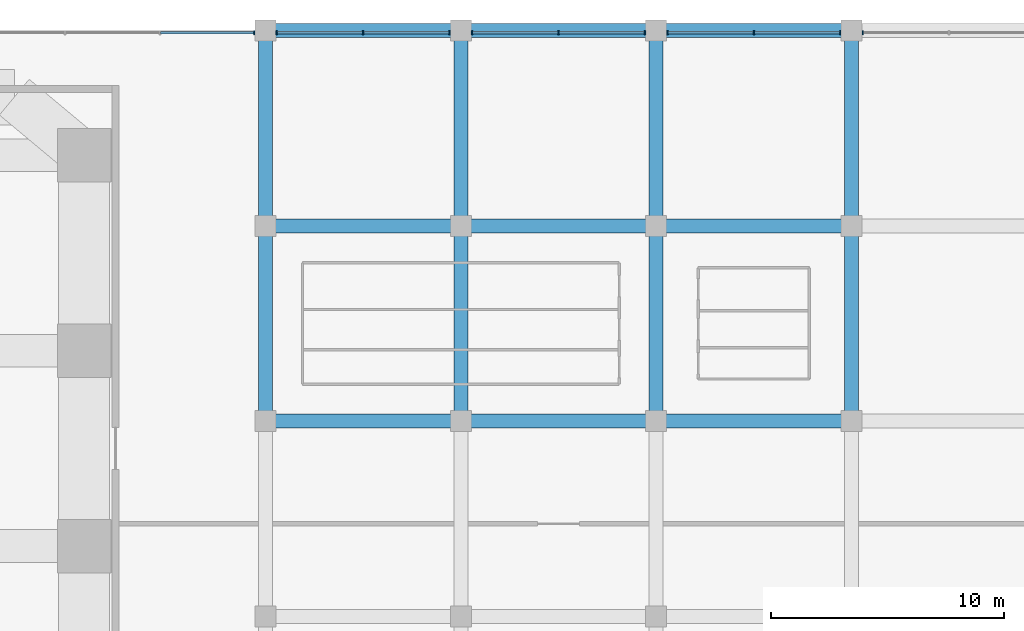
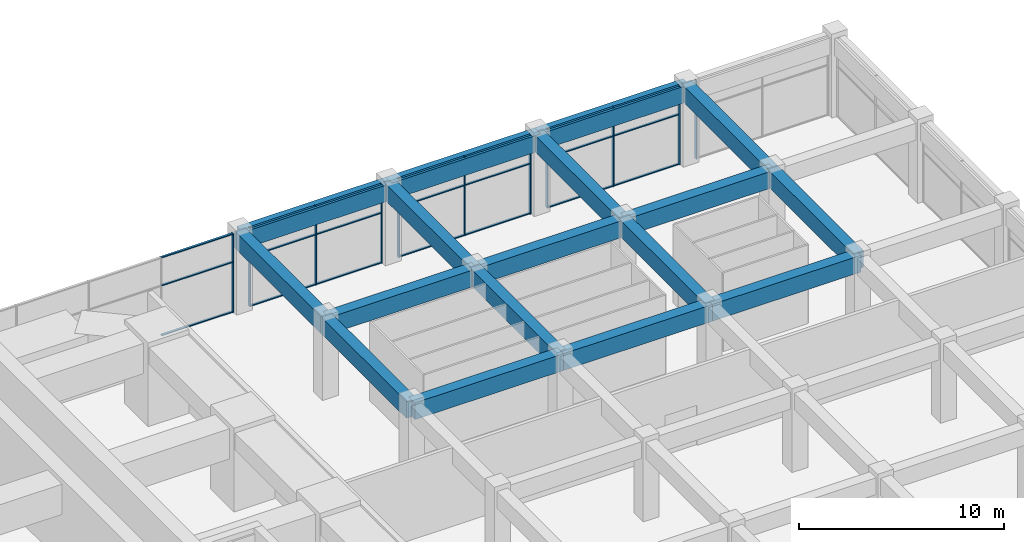
# One storey, part 20 of 34: 32 members, 17 beams, 5 elements without a shape of their own.
"""IFC4 building model written with IfcOpenShell, lengths in metres."""

from ifc_helpers import new_model, si_unit, direction, frame, origin, origin_2d, place, context, subcontext, project, spatial, rectangle, extrude, material, material_profile, profile_set, type_object, element, aggregate, save


model = new_model("IFC4")

# Units and contexts
model_context = context("Model", 3, precision=1e-05, world=origin(), true_north=direction((0.0, 1.0)))
body_context = subcontext(model_context, "Body", "Model", "MODEL_VIEW")
ifc_project = project(units=[si_unit("LENGTHUNIT", "METRE"), si_unit("AREAUNIT", "SQUARE_METRE"), si_unit("VOLUMEUNIT", "CUBIC_METRE"), si_unit("PLANEANGLEUNIT", "RADIAN"), si_unit("MASSUNIT", "GRAM", prefix="KILO")], contexts=[model_context])

# Site, building, storey
site_placement = place(None, origin())
site = spatial("IfcSite", under=ifc_project, at=site_placement, CompositionType="ELEMENT")
building_placement = place(site_placement, origin())
building = spatial("IfcBuilding", under=site, at=building_placement, Name="Impinga Residences", CompositionType="ELEMENT")
storey_placement = place(building_placement, frame((0.0, 0.0, 11.0)))
storey = spatial("IfcBuildingStorey", under=building, at=storey_placement, Name="L02", CompositionType="ELEMENT", Elevation=11.0)

# Curtain wall, member
ifc_material_1 = material(Name="Aluminium stick curtain wall", Category="aluminium")
curtain_wall_type = type_object("IfcCurtainWallType", Name="CW1 podium amenity curtain wall", PredefinedType="USERDEFINED", material=ifc_material_1)
curtain_wall_1_placement = place(storey_placement, origin())
curtain_wall_1 = element("IfcCurtainWall", 1, at=curtain_wall_1_placement, inside=storey, type_object=curtain_wall_type, Name="Curtain wall CW1 L02", ObjectType="STICK CURTAIN WALL", PredefinedType="USERDEFINED")
ifc_material_2 = material(Name="Aluminium mullion", Category="aluminium")
ifc_material_profile_1 = material_profile(ifc_material_2, rectangle(XDim=0.06005859375, YDim=0.179931640625, at=origin_2d()), Name="60x180 mullion")
ifc_profile_set_1 = profile_set([ifc_material_profile_1], Name="Aluminium mullion")
member_type_1 = type_object("IfcMemberType", Name="CW1-M mullion 60x180", PredefinedType="MULLION", material=ifc_profile_set_1)
member_1_placement = place(storey_placement, frame((16.31689453125, 50.300048828125, 0.0), z_axis=(0.0, 0.0, 1.0), x_axis=(1.0, 0.0, 0.0)))
member_1 = element("IfcMember", 2, at=member_1_placement, type_object=member_type_1, Name="CW1 mullion 9", PredefinedType="MULLION", context=body_context, shape_type="SweptSolid", body=[
    extrude(rectangle(XDim=0.06005859375, YDim=0.179931640625, at=origin_2d()), origin(), (0.0, 0.0, 1.0), 4.699951171875),
])

# Curtain wall, members
curtain_wall_2_placement = place(storey_placement, origin())
curtain_wall_2 = element("IfcCurtainWall", 3, at=curtain_wall_2_placement, inside=storey, type_object=curtain_wall_type, Name="Curtain wall CW1 L02", ObjectType="STICK CURTAIN WALL", PredefinedType="USERDEFINED")
member_2_placement = place(storey_placement, frame((17.282958984375, 50.300048828125, 0.0), z_axis=(0.0, 0.0, 1.0), x_axis=(1.0, 0.0, 0.0)))
member_2 = element("IfcMember", 4, at=member_2_placement, type_object=member_type_1, Name="CW1 mullion 1", PredefinedType="MULLION", context=body_context, shape_type="SweptSolid", body=[
    extrude(rectangle(XDim=0.06005859375, YDim=0.179931640625, at=origin_2d()), origin(), (0.0, 0.0, 1.0), 4.699951171875),
])
member_3_placement = place(storey_placement, frame((21.0, 50.300048828125, 0.0), z_axis=(0.0, 0.0, 1.0), x_axis=(1.0, 0.0, 0.0)))
member_3 = element("IfcMember", 5, at=member_3_placement, type_object=member_type_1, Name="CW1 mullion 2", PredefinedType="MULLION", context=body_context, shape_type="SweptSolid", body=[
    extrude(rectangle(XDim=0.06005859375, YDim=0.179931640625, at=origin_2d()), origin(), (0.0, 0.0, 1.0), 4.699951171875),
])
member_4_placement = place(storey_placement, frame((24.717041015625, 50.300048828125, 0.0), z_axis=(0.0, 0.0, 1.0), x_axis=(1.0, 0.0, 0.0)))
member_4 = element("IfcMember", 6, at=member_4_placement, type_object=member_type_1, Name="CW1 mullion 3", PredefinedType="MULLION", context=body_context, shape_type="SweptSolid", body=[
    extrude(rectangle(XDim=0.06005859375, YDim=0.179931640625, at=origin_2d()), origin(), (0.0, 0.0, 1.0), 4.699951171875),
])

curtain_wall_3_placement = place(storey_placement, origin())
curtain_wall_3 = element("IfcCurtainWall", 7, at=curtain_wall_3_placement, inside=storey, type_object=curtain_wall_type, Name="Curtain wall CW1 L02", ObjectType="STICK CURTAIN WALL", PredefinedType="USERDEFINED")
member_5_placement = place(storey_placement, frame((25.68310546875, 50.300048828125, 0.0), z_axis=(0.0, 0.0, 1.0), x_axis=(1.0, 0.0, 0.0)))
member_5 = element("IfcMember", 8, at=member_5_placement, type_object=member_type_1, Name="CW1 mullion 1", PredefinedType="MULLION", context=body_context, shape_type="SweptSolid", body=[
    extrude(rectangle(XDim=0.06005859375, YDim=0.179931640625, at=origin_2d()), origin(), (0.0, 0.0, 1.0), 4.699951171875),
])
member_6_placement = place(storey_placement, frame((29.39990234375, 50.300048828125, 0.0), z_axis=(0.0, 0.0, 1.0), x_axis=(1.0, 0.0, 0.0)))
member_6 = element("IfcMember", 9, at=member_6_placement, type_object=member_type_1, Name="CW1 mullion 2", PredefinedType="MULLION", context=body_context, shape_type="SweptSolid", body=[
    extrude(rectangle(XDim=0.06005859375, YDim=0.179931640625, at=origin_2d()), origin(), (0.0, 0.0, 1.0), 4.699951171875),
])
member_7_placement = place(storey_placement, frame((33.116943359375, 50.300048828125, 0.0), z_axis=(0.0, 0.0, 1.0), x_axis=(1.0, 0.0, 0.0)))
member_7 = element("IfcMember", 10, at=member_7_placement, type_object=member_type_1, Name="CW1 mullion 3", PredefinedType="MULLION", context=body_context, shape_type="SweptSolid", body=[
    extrude(rectangle(XDim=0.06005859375, YDim=0.179931640625, at=origin_2d()), origin(), (0.0, 0.0, 1.0), 4.699951171875),
])

curtain_wall_4_placement = place(storey_placement, origin())
curtain_wall_4 = element("IfcCurtainWall", 11, at=curtain_wall_4_placement, inside=storey, type_object=curtain_wall_type, Name="Curtain wall CW1 L02", ObjectType="STICK CURTAIN WALL", PredefinedType="USERDEFINED")
member_8_placement = place(storey_placement, frame((34.0830078125, 50.300048828125, 0.0), z_axis=(0.0, 0.0, 1.0), x_axis=(1.0, 0.0, 0.0)))
member_8 = element("IfcMember", 12, at=member_8_placement, type_object=member_type_1, Name="CW1 mullion 1", PredefinedType="MULLION", context=body_context, shape_type="SweptSolid", body=[
    extrude(rectangle(XDim=0.06005859375, YDim=0.179931640625, at=origin_2d()), origin(), (0.0, 0.0, 1.0), 4.699951171875),
])
member_9_placement = place(storey_placement, frame((37.800048828125, 50.300048828125, 0.0), z_axis=(0.0, 0.0, 1.0), x_axis=(1.0, 0.0, 0.0)))
member_9 = element("IfcMember", 13, at=member_9_placement, type_object=member_type_1, Name="CW1 mullion 2", PredefinedType="MULLION", context=body_context, shape_type="SweptSolid", body=[
    extrude(rectangle(XDim=0.06005859375, YDim=0.179931640625, at=origin_2d()), origin(), (0.0, 0.0, 1.0), 4.699951171875),
])
member_10_placement = place(storey_placement, frame((41.51708984375, 50.300048828125, 0.0), z_axis=(0.0, 0.0, 1.0), x_axis=(1.0, 0.0, 0.0)))
member_10 = element("IfcMember", 14, at=member_10_placement, type_object=member_type_1, Name="CW1 mullion 3", PredefinedType="MULLION", context=body_context, shape_type="SweptSolid", body=[
    extrude(rectangle(XDim=0.06005859375, YDim=0.179931640625, at=origin_2d()), origin(), (0.0, 0.0, 1.0), 4.699951171875),
])

# Curtain wall, member
curtain_wall_5_placement = place(storey_placement, origin())
curtain_wall_5 = element("IfcCurtainWall", 15, at=curtain_wall_5_placement, inside=storey, type_object=curtain_wall_type, Name="Curtain wall CW1 L02", ObjectType="STICK CURTAIN WALL", PredefinedType="USERDEFINED")
member_11_placement = place(storey_placement, frame((42.48291015625, 50.300048828125, 0.0), z_axis=(0.0, 0.0, 1.0), x_axis=(1.0, 0.0, 0.0)))
member_11 = element("IfcMember", 16, at=member_11_placement, type_object=member_type_1, Name="CW1 mullion 1", PredefinedType="MULLION", context=body_context, shape_type="SweptSolid", body=[
    extrude(rectangle(XDim=0.06005859375, YDim=0.179931640625, at=origin_2d()), origin(), (0.0, 0.0, 1.0), 4.699951171875),
])
aggregate(curtain_wall_5, [member_11])

# Member
ifc_material_3 = material(Name="Aluminium transom", Category="aluminium")
ifc_material_profile_2 = material_profile(ifc_material_3, rectangle(XDim=0.06005859375, YDim=0.1201171875, at=origin_2d()), Name="60x120 transom")
ifc_profile_set_2 = profile_set([ifc_material_profile_2], Name="Aluminium transom")
member_type_2 = type_object("IfcMemberType", Name="CW1-T transom 60x120", PredefinedType="USERDEFINED", material=ifc_profile_set_2)
member_12_placement = place(storey_placement, frame((12.290283203125, 50.300048828125, 0.030029296875), z_axis=(1.0, 0.0, 0.0), x_axis=(0.0, 0.0, 1.0)))
member_12 = element("IfcMember", 17, at=member_12_placement, type_object=member_type_2, Name="CW1 transom 8.1", ObjectType="TRANSOM", PredefinedType="USERDEFINED", context=body_context, shape_type="SweptSolid", body=[
    extrude(rectangle(XDim=0.06005859375, YDim=0.1201171875, at=origin_2d()), origin(), (0.0, 0.0, 1.0), 3.996826171875),
])

member_13_placement = place(storey_placement, frame((12.290283203125, 50.300048828125, 3.0), z_axis=(1.0, 0.0, 0.0), x_axis=(0.0, 0.0, 1.0)))
member_13 = element("IfcMember", 18, at=member_13_placement, type_object=member_type_2, Name="CW1 transom 8.2", ObjectType="TRANSOM", PredefinedType="USERDEFINED", context=body_context, shape_type="SweptSolid", body=[
    extrude(rectangle(XDim=0.06005859375, YDim=0.1201171875, at=origin_2d()), origin(), (0.0, 0.0, 1.0), 3.996826171875),
])

member_14_placement = place(storey_placement, frame((12.290283203125, 50.300048828125, 4.669921875), z_axis=(1.0, 0.0, 0.0), x_axis=(0.0, 0.0, 1.0)))
member_14 = element("IfcMember", 19, at=member_14_placement, type_object=member_type_2, Name="CW1 transom 8.3", ObjectType="TRANSOM", PredefinedType="USERDEFINED", context=body_context, shape_type="SweptSolid", body=[
    extrude(rectangle(XDim=0.06005859375, YDim=0.1201171875, at=origin_2d()), origin(), (0.0, 0.0, 1.0), 3.996826171875),
])

aggregate(curtain_wall_1, [member_1, member_12, member_13, member_14])

member_15_placement = place(storey_placement, frame((17.31298828125, 50.300048828125, 0.030029296875), z_axis=(1.0, 0.0, 0.0), x_axis=(0.0, 0.0, 1.0)))
member_15 = element("IfcMember", 20, at=member_15_placement, type_object=member_type_2, Name="CW1 transom 1.1", ObjectType="TRANSOM", PredefinedType="USERDEFINED", context=body_context, shape_type="SweptSolid", body=[
    extrude(rectangle(XDim=0.06005859375, YDim=0.1201171875, at=origin_2d()), origin(), (0.0, 0.0, 1.0), 3.656982421875),
])

member_16_placement = place(storey_placement, frame((17.31298828125, 50.300048828125, 3.0), z_axis=(1.0, 0.0, 0.0), x_axis=(0.0, 0.0, 1.0)))
member_16 = element("IfcMember", 21, at=member_16_placement, type_object=member_type_2, Name="CW1 transom 1.2", ObjectType="TRANSOM", PredefinedType="USERDEFINED", context=body_context, shape_type="SweptSolid", body=[
    extrude(rectangle(XDim=0.06005859375, YDim=0.1201171875, at=origin_2d()), origin(), (0.0, 0.0, 1.0), 3.656982421875),
])

member_17_placement = place(storey_placement, frame((17.31298828125, 50.300048828125, 4.669921875), z_axis=(1.0, 0.0, 0.0), x_axis=(0.0, 0.0, 1.0)))
member_17 = element("IfcMember", 22, at=member_17_placement, type_object=member_type_2, Name="CW1 transom 1.3", ObjectType="TRANSOM", PredefinedType="USERDEFINED", context=body_context, shape_type="SweptSolid", body=[
    extrude(rectangle(XDim=0.06005859375, YDim=0.1201171875, at=origin_2d()), origin(), (0.0, 0.0, 1.0), 3.656982421875),
])

member_18_placement = place(storey_placement, frame((21.030029296875, 50.300048828125, 0.030029296875), z_axis=(1.0, 0.0, 0.0), x_axis=(0.0, 0.0, 1.0)))
member_18 = element("IfcMember", 23, at=member_18_placement, type_object=member_type_2, Name="CW1 transom 2.1", ObjectType="TRANSOM", PredefinedType="USERDEFINED", context=body_context, shape_type="SweptSolid", body=[
    extrude(rectangle(XDim=0.06005859375, YDim=0.1201171875, at=origin_2d()), origin(), (0.0, 0.0, 1.0), 3.656982421875),
])

member_19_placement = place(storey_placement, frame((21.030029296875, 50.300048828125, 3.0), z_axis=(1.0, 0.0, 0.0), x_axis=(0.0, 0.0, 1.0)))
member_19 = element("IfcMember", 24, at=member_19_placement, type_object=member_type_2, Name="CW1 transom 2.2", ObjectType="TRANSOM", PredefinedType="USERDEFINED", context=body_context, shape_type="SweptSolid", body=[
    extrude(rectangle(XDim=0.06005859375, YDim=0.1201171875, at=origin_2d()), origin(), (0.0, 0.0, 1.0), 3.656982421875),
])

member_20_placement = place(storey_placement, frame((21.030029296875, 50.300048828125, 4.669921875), z_axis=(1.0, 0.0, 0.0), x_axis=(0.0, 0.0, 1.0)))
member_20 = element("IfcMember", 25, at=member_20_placement, type_object=member_type_2, Name="CW1 transom 2.3", ObjectType="TRANSOM", PredefinedType="USERDEFINED", context=body_context, shape_type="SweptSolid", body=[
    extrude(rectangle(XDim=0.06005859375, YDim=0.1201171875, at=origin_2d()), origin(), (0.0, 0.0, 1.0), 3.656982421875),
])

aggregate(curtain_wall_2, [member_2, member_3, member_4, member_15, member_16, member_17, member_18, member_19, member_20])

member_21_placement = place(storey_placement, frame((25.712890625, 50.300048828125, 0.030029296875), z_axis=(1.0, 0.0, 0.0), x_axis=(0.0, 0.0, 1.0)))
member_21 = element("IfcMember", 26, at=member_21_placement, type_object=member_type_2, Name="CW1 transom 1.1", ObjectType="TRANSOM", PredefinedType="USERDEFINED", context=body_context, shape_type="SweptSolid", body=[
    extrude(rectangle(XDim=0.06005859375, YDim=0.1201171875, at=origin_2d()), origin(), (0.0, 0.0, 1.0), 3.6572265625),
])

member_22_placement = place(storey_placement, frame((25.712890625, 50.300048828125, 3.0), z_axis=(1.0, 0.0, 0.0), x_axis=(0.0, 0.0, 1.0)))
member_22 = element("IfcMember", 27, at=member_22_placement, type_object=member_type_2, Name="CW1 transom 1.2", ObjectType="TRANSOM", PredefinedType="USERDEFINED", context=body_context, shape_type="SweptSolid", body=[
    extrude(rectangle(XDim=0.06005859375, YDim=0.1201171875, at=origin_2d()), origin(), (0.0, 0.0, 1.0), 3.6572265625),
])

member_23_placement = place(storey_placement, frame((25.712890625, 50.300048828125, 4.669921875), z_axis=(1.0, 0.0, 0.0), x_axis=(0.0, 0.0, 1.0)))
member_23 = element("IfcMember", 28, at=member_23_placement, type_object=member_type_2, Name="CW1 transom 1.3", ObjectType="TRANSOM", PredefinedType="USERDEFINED", context=body_context, shape_type="SweptSolid", body=[
    extrude(rectangle(XDim=0.06005859375, YDim=0.1201171875, at=origin_2d()), origin(), (0.0, 0.0, 1.0), 3.6572265625),
])

member_24_placement = place(storey_placement, frame((29.429931640625, 50.300048828125, 0.030029296875), z_axis=(1.0, 0.0, 0.0), x_axis=(0.0, 0.0, 1.0)))
member_24 = element("IfcMember", 29, at=member_24_placement, type_object=member_type_2, Name="CW1 transom 2.1", ObjectType="TRANSOM", PredefinedType="USERDEFINED", context=body_context, shape_type="SweptSolid", body=[
    extrude(rectangle(XDim=0.06005859375, YDim=0.1201171875, at=origin_2d()), origin(), (0.0, 0.0, 1.0), 3.656982421875),
])

member_25_placement = place(storey_placement, frame((29.429931640625, 50.300048828125, 3.0), z_axis=(1.0, 0.0, 0.0), x_axis=(0.0, 0.0, 1.0)))
member_25 = element("IfcMember", 30, at=member_25_placement, type_object=member_type_2, Name="CW1 transom 2.2", ObjectType="TRANSOM", PredefinedType="USERDEFINED", context=body_context, shape_type="SweptSolid", body=[
    extrude(rectangle(XDim=0.06005859375, YDim=0.1201171875, at=origin_2d()), origin(), (0.0, 0.0, 1.0), 3.656982421875),
])

member_26_placement = place(storey_placement, frame((29.429931640625, 50.300048828125, 4.669921875), z_axis=(1.0, 0.0, 0.0), x_axis=(0.0, 0.0, 1.0)))
member_26 = element("IfcMember", 31, at=member_26_placement, type_object=member_type_2, Name="CW1 transom 2.3", ObjectType="TRANSOM", PredefinedType="USERDEFINED", context=body_context, shape_type="SweptSolid", body=[
    extrude(rectangle(XDim=0.06005859375, YDim=0.1201171875, at=origin_2d()), origin(), (0.0, 0.0, 1.0), 3.656982421875),
])

aggregate(curtain_wall_3, [member_5, member_6, member_7, member_21, member_22, member_23, member_24, member_25, member_26])

member_27_placement = place(storey_placement, frame((34.113037109375, 50.300048828125, 0.030029296875), z_axis=(1.0, 0.0, 0.0), x_axis=(0.0, 0.0, 1.0)))
member_27 = element("IfcMember", 32, at=member_27_placement, type_object=member_type_2, Name="CW1 transom 1.1", ObjectType="TRANSOM", PredefinedType="USERDEFINED", context=body_context, shape_type="SweptSolid", body=[
    extrude(rectangle(XDim=0.06005859375, YDim=0.1201171875, at=origin_2d()), origin(), (0.0, 0.0, 1.0), 3.656982421875),
])

member_28_placement = place(storey_placement, frame((34.113037109375, 50.300048828125, 3.0), z_axis=(1.0, 0.0, 0.0), x_axis=(0.0, 0.0, 1.0)))
member_28 = element("IfcMember", 33, at=member_28_placement, type_object=member_type_2, Name="CW1 transom 1.2", ObjectType="TRANSOM", PredefinedType="USERDEFINED", context=body_context, shape_type="SweptSolid", body=[
    extrude(rectangle(XDim=0.06005859375, YDim=0.1201171875, at=origin_2d()), origin(), (0.0, 0.0, 1.0), 3.656982421875),
])

member_29_placement = place(storey_placement, frame((34.113037109375, 50.300048828125, 4.669921875), z_axis=(1.0, 0.0, 0.0), x_axis=(0.0, 0.0, 1.0)))
member_29 = element("IfcMember", 34, at=member_29_placement, type_object=member_type_2, Name="CW1 transom 1.3", ObjectType="TRANSOM", PredefinedType="USERDEFINED", context=body_context, shape_type="SweptSolid", body=[
    extrude(rectangle(XDim=0.06005859375, YDim=0.1201171875, at=origin_2d()), origin(), (0.0, 0.0, 1.0), 3.656982421875),
])

member_30_placement = place(storey_placement, frame((37.830078125, 50.300048828125, 0.030029296875), z_axis=(1.0, 0.0, 0.0), x_axis=(0.0, 0.0, 1.0)))
member_30 = element("IfcMember", 35, at=member_30_placement, type_object=member_type_2, Name="CW1 transom 2.1", ObjectType="TRANSOM", PredefinedType="USERDEFINED", context=body_context, shape_type="SweptSolid", body=[
    extrude(rectangle(XDim=0.06005859375, YDim=0.1201171875, at=origin_2d()), origin(), (0.0, 0.0, 1.0), 3.656982421875),
])

member_31_placement = place(storey_placement, frame((37.830078125, 50.300048828125, 3.0), z_axis=(1.0, 0.0, 0.0), x_axis=(0.0, 0.0, 1.0)))
member_31 = element("IfcMember", 36, at=member_31_placement, type_object=member_type_2, Name="CW1 transom 2.2", ObjectType="TRANSOM", PredefinedType="USERDEFINED", context=body_context, shape_type="SweptSolid", body=[
    extrude(rectangle(XDim=0.06005859375, YDim=0.1201171875, at=origin_2d()), origin(), (0.0, 0.0, 1.0), 3.656982421875),
])

member_32_placement = place(storey_placement, frame((37.830078125, 50.300048828125, 4.669921875), z_axis=(1.0, 0.0, 0.0), x_axis=(0.0, 0.0, 1.0)))
member_32 = element("IfcMember", 37, at=member_32_placement, type_object=member_type_2, Name="CW1 transom 2.3", ObjectType="TRANSOM", PredefinedType="USERDEFINED", context=body_context, shape_type="SweptSolid", body=[
    extrude(rectangle(XDim=0.06005859375, YDim=0.1201171875, at=origin_2d()), origin(), (0.0, 0.0, 1.0), 3.656982421875),
])

aggregate(curtain_wall_4, [member_8, member_9, member_10, member_27, member_28, member_29, member_30, member_31, member_32])

# Beams
ifc_material_4 = material(Name="Concrete C60/75", Category="concrete")
ifc_material_profile_3 = material_profile(ifc_material_4, rectangle(XDim=0.60009765625, YDim=1.0, at=origin_2d()), Name="RC 600x1000")
ifc_profile_set_3 = profile_set([ifc_material_profile_3], Name="Concrete C60/75")
beam_type = type_object("IfcBeamType", Name="PB2 600x1000 podium beam", PredefinedType="BEAM", material=ifc_profile_set_3)
beam_1_placement = place(storey_placement, frame((16.800048828125, 33.60009765625, 4.199951171875), z_axis=(1.0, 0.0, 0.0), x_axis=(0.0, 1.0, 0.0)))
element("IfcBeam", 38, at=beam_1_placement, inside=storey, type_object=beam_type, Name="Beam PB2 K/9-10 level L03", PredefinedType="BEAM", context=body_context, shape_type="SweptSolid", body=[
    extrude(rectangle(XDim=0.60009765625, YDim=1.0, at=origin_2d()), origin(), (0.0, 0.0, 1.0), 8.39990234375),
])
beam_2_placement = place(storey_placement, frame((25.199951171875, 33.60009765625, 4.199951171875), z_axis=(1.0, 0.0, 0.0), x_axis=(0.0, 1.0, 0.0)))
element("IfcBeam", 39, at=beam_2_placement, inside=storey, type_object=beam_type, Name="Beam PB2 K/10-11 level L03", PredefinedType="BEAM", context=body_context, shape_type="SweptSolid", body=[
    extrude(rectangle(XDim=0.60009765625, YDim=1.0, at=origin_2d()), origin(), (0.0, 0.0, 1.0), 8.400146484375),
])
for number, where, z_axis, x_axis, name in (
    (40, (33.60009765625, 33.60009765625, 4.199951171875), (1.0, 0.0, 0.0), (0.0, 1.0, 0.0), "Beam PB2 K/11-12 level L03"),
    (41, (16.800048828125, 42.0, 4.199951171875), (1.0, 0.0, 0.0), (0.0, 1.0, 0.0), "Beam PB2 L/9-10 level L03"),
):
    element("IfcBeam", number, at=place(storey_placement, frame(where, z_axis=z_axis, x_axis=x_axis)), inside=storey, type_object=beam_type, Name=name, PredefinedType="BEAM", context=body_context, shape_type="SweptSolid", body=[
        extrude(rectangle(XDim=0.60009765625, YDim=1.0, at=origin_2d()), origin(), (0.0, 0.0, 1.0), 8.39990234375),
    ])
beam_3_placement = place(storey_placement, frame((25.199951171875, 42.0, 4.199951171875), z_axis=(1.0, 0.0, 0.0), x_axis=(0.0, 1.0, 0.0)))
element("IfcBeam", 42, at=beam_3_placement, inside=storey, type_object=beam_type, Name="Beam PB2 L/10-11 level L03", PredefinedType="BEAM", context=body_context, shape_type="SweptSolid", body=[
    extrude(rectangle(XDim=0.60009765625, YDim=1.0, at=origin_2d()), origin(), (0.0, 0.0, 1.0), 8.400146484375),
])
for number, where, z_axis, x_axis, name in (
    (43, (33.60009765625, 42.0, 4.199951171875), (1.0, 0.0, 0.0), (0.0, 1.0, 0.0), "Beam PB2 L/11-12 level L03"),
    (44, (16.800048828125, 50.39990234375, 4.199951171875), (1.0, 0.0, 0.0), (0.0, 1.0, 0.0), "Beam PB2 M/9-10 level L03"),
):
    element("IfcBeam", number, at=place(storey_placement, frame(where, z_axis=z_axis, x_axis=x_axis)), inside=storey, type_object=beam_type, Name=name, PredefinedType="BEAM", context=body_context, shape_type="SweptSolid", body=[
        extrude(rectangle(XDim=0.60009765625, YDim=1.0, at=origin_2d()), origin(), (0.0, 0.0, 1.0), 8.39990234375),
    ])
beam_4_placement = place(storey_placement, frame((25.199951171875, 50.39990234375, 4.199951171875), z_axis=(1.0, 0.0, 0.0), x_axis=(0.0, 1.0, 0.0)))
element("IfcBeam", 45, at=beam_4_placement, inside=storey, type_object=beam_type, Name="Beam PB2 M/10-11 level L03", PredefinedType="BEAM", context=body_context, shape_type="SweptSolid", body=[
    extrude(rectangle(XDim=0.60009765625, YDim=1.0, at=origin_2d()), origin(), (0.0, 0.0, 1.0), 8.400146484375),
])
for number, where, z_axis, x_axis, name in (
    (46, (33.60009765625, 50.39990234375, 4.199951171875), (1.0, 0.0, 0.0), (0.0, 1.0, 0.0), "Beam PB2 M/11-12 level L03"),
    (47, (16.800048828125, 33.60009765625, 4.199951171875), (0.0, 1.0, 0.0), (-1.0, 0.0, 0.0), "Beam PB2 9/K-L level L03"),
    (48, (16.800048828125, 42.0, 4.199951171875), (0.0, 1.0, 0.0), (-1.0, 0.0, 0.0), "Beam PB2 9/L-M level L03"),
    (49, (25.199951171875, 33.60009765625, 4.199951171875), (0.0, 1.0, 0.0), (-1.0, 0.0, 0.0), "Beam PB2 10/K-L level L03"),
    (50, (25.199951171875, 42.0, 4.199951171875), (0.0, 1.0, 0.0), (-1.0, 0.0, 0.0), "Beam PB2 10/L-M level L03"),
    (51, (33.60009765625, 33.60009765625, 4.199951171875), (0.0, 1.0, 0.0), (-1.0, 0.0, 0.0), "Beam PB2 11/K-L level L03"),
    (52, (33.60009765625, 42.0, 4.199951171875), (0.0, 1.0, 0.0), (-1.0, 0.0, 0.0), "Beam PB2 11/L-M level L03"),
    (53, (42.0, 33.60009765625, 4.199951171875), (0.0, 1.0, 0.0), (-1.0, 0.0, 0.0), "Beam PB2 12/K-L level L03"),
    (54, (42.0, 42.0, 4.199951171875), (0.0, 1.0, 0.0), (-1.0, 0.0, 0.0), "Beam PB2 12/L-M level L03"),
):
    element("IfcBeam", number, at=place(storey_placement, frame(where, z_axis=z_axis, x_axis=x_axis)), inside=storey, type_object=beam_type, Name=name, PredefinedType="BEAM", context=body_context, shape_type="SweptSolid", body=[
        extrude(rectangle(XDim=0.60009765625, YDim=1.0, at=origin_2d()), origin(), (0.0, 0.0, 1.0), 8.39990234375),
    ])

save(model, "model.ifc")
